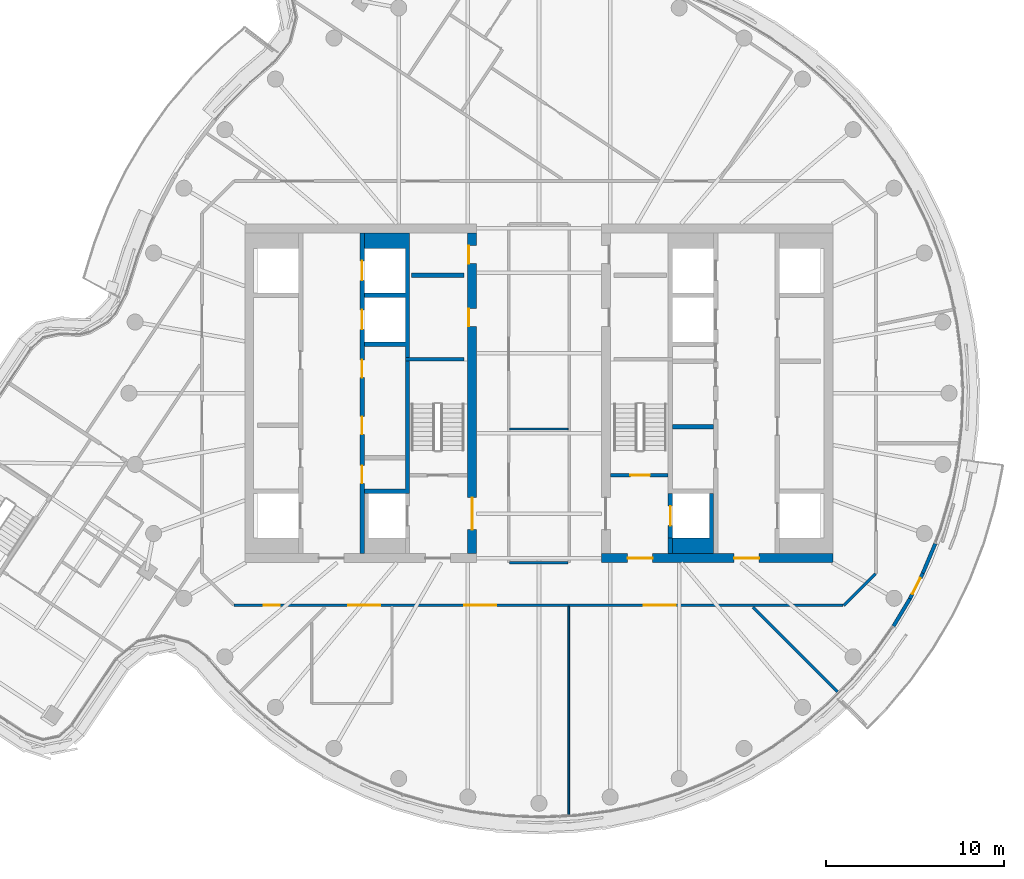
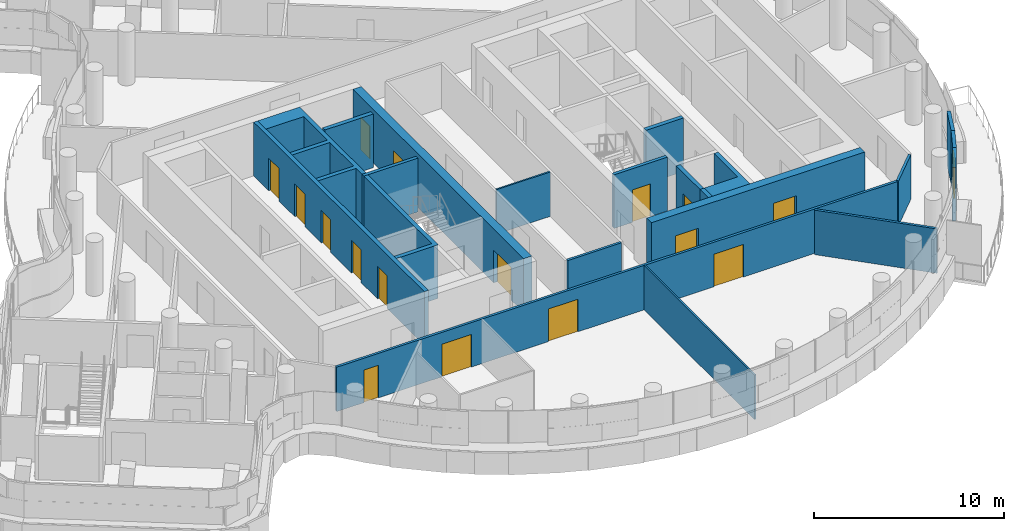
# One storey, part 18 of 27: 20 walls, 17 doors, 17 openings.
"""IFC4 building model written with IfcOpenShell, lengths in metres."""

from ifc_helpers import new_model, si_unit, direction, frame, frame_2d, origin, place, context, subcontext, project, spatial, polyline, rectangle, outline, extrude, material, layer, layer_set, type_object, element, fill, save


model = new_model("IFC4")

# Units and contexts
model_context = context("Model", 3, precision=1e-05, world=origin(), true_north=direction((0.0, 1.0)))
body_context = subcontext(model_context, "Body", "Model", "MODEL_VIEW")
ifc_project = project(units=[si_unit("LENGTHUNIT", "METRE"), si_unit("AREAUNIT", "SQUARE_METRE"), si_unit("VOLUMEUNIT", "CUBIC_METRE"), si_unit("PLANEANGLEUNIT", "RADIAN"), si_unit("MASSUNIT", "GRAM", prefix="KILO")], contexts=[model_context])

# Site, building, storey
site_placement = place(None, origin())
site = spatial("IfcSite", under=ifc_project, at=site_placement, CompositionType="ELEMENT")
building_placement = place(site_placement, origin())
building = spatial("IfcBuilding", under=site, at=building_placement, Name="Tamarind Cross Interchange Tower", CompositionType="ELEMENT")
storey_placement = place(building_placement, frame((0.0, 0.0, 237.89990234375)))
storey = spatial("IfcBuildingStorey", under=building, at=storey_placement, Name="L60", CompositionType="ELEMENT", Elevation=237.89990234375)

# Walls
ifc_material_1 = material(Name="Concrete C40", Category="concrete")
ifc_layer_1 = layer(ifc_material_1, 0.199951171875)
ifc_layer_set_1 = layer_set([ifc_layer_1], Name="Concrete C40")
wall_type_1 = type_object("IfcWallType", Name="Balcony and garden door wall", PredefinedType="SOLIDWALL", material=ifc_layer_set_1)
wall_1_placement = place(storey_placement, frame((19.877197265625, -13.070068359375, 0.0), z_axis=(0.0, 0.0, 1.0), x_axis=(0.515012774923, 0.85718250196, 0.0)))
element("IfcWall", 1, at=wall_1_placement, inside=storey, type_object=wall_type_1, Name="EXW-L60-02-D11L", PredefinedType="SOLIDWALL", context=body_context, shape_type="SweptSolid", body=[
    extrude(rectangle(XDim=1.80517578125, YDim=0.199951171875, at=frame_2d((0.902587890625, 0.0))), origin(), (0.0, 0.0, 1.0), 3.460205078125),
])
wall_2_placement = place(storey_placement, frame((21.527587890625, -10.09521484375, 0.0), z_axis=(0.0, 0.0, 1.0), x_axis=(0.389260368578, 0.921127768257, 0.0)))
element("IfcWall", 2, at=wall_2_placement, inside=storey, type_object=wall_type_1, Name="EXW-L60-02-D11R", PredefinedType="SOLIDWALL", context=body_context, shape_type="SweptSolid", body=[
    extrude(rectangle(XDim=1.804443359375, YDim=0.199951171875, at=frame_2d((0.90234375, 0.0))), origin(), (0.0, 0.0, 1.0), 3.460205078125),
])

# Wall, opening, door
wall_3_placement = place(storey_placement, frame((20.806884765625, -11.522705078125, 0.0), z_axis=(0.0, 0.0, 1.0), x_axis=(0.450691156641, 0.892679943387, 0.0)))
wall_3 = element("IfcWall", 3, at=wall_3_placement, inside=storey, type_object=wall_type_1, Name="EXW-L60-02-D11", PredefinedType="SOLIDWALL", context=body_context, shape_type="SweptSolid", body=[
    extrude(rectangle(XDim=1.59912109375, YDim=0.199951171875, at=frame_2d((0.799560546875, 0.0))), origin(), (0.0, 0.0, 1.0), 3.460205078125),
])
opening_1_placement = place(wall_3_placement, frame((0.299560546875, 0.0, 0.0)))
opening_1 = element("IfcOpeningElement", 4, at=opening_1_placement, cuts=wall_3, Name="Opening D2", PredefinedType="OPENING", context=body_context, shape_type="SweptSolid", body=[
    extrude(rectangle(XDim=1.0, YDim=2.39990234375, at=frame_2d((0.5, 1.199951171875))), frame((0.0, 0.10986328125, 0.0), z_axis=(0.0, -1.0, 0.0), x_axis=(1.0, 0.0, 0.0)), (0.0, 0.0, 1.0), 0.219970703125),
])
ifc_material_2 = material(Name="Aluminium and toughened glass", Category="aluminium")
door_type_1 = type_object("IfcDoorType", Name="Balcony and garden door", OperationType="SINGLE_SWING_LEFT", PredefinedType="DOOR", material=ifc_material_2)
door_1_placement = place(opening_1_placement, origin())
door_1 = element("IfcDoor", 5, at=door_1_placement, inside=storey, type_object=door_type_1, Name="DOR-L60-02-11", OperationType="SINGLE_SWING_LEFT", OverallHeight=2.39990234375, OverallWidth=1.0, PredefinedType="DOOR", context=body_context, shape_type="SweptSolid", body=[
    extrude(rectangle(XDim=1.0, YDim=2.39990234375, at=frame_2d((0.5, 1.199951171875))), frame((0.0, 0.02490234375, 0.0), z_axis=(0.0, -1.0, 0.0), x_axis=(1.0, 0.0, 0.0)), (0.0, 0.0, 1.0), 0.050048828125),
])
fill(opening_1, door_1)

# Wall, openings, doors
ifc_material_3 = material(Name="Concrete C50", Category="concrete")
ifc_layer_2 = layer(ifc_material_3, 0.5)
ifc_layer_set_2 = layer_set([ifc_layer_2], Name="Concrete C50")
wall_type_2 = type_object("IfcWallType", Name="Core wall 500 mm Concrete C50", PredefinedType="SHEAR", material=ifc_layer_set_2)
wall_4_placement = place(storey_placement, frame((-3.75, -9.0, 0.0), z_axis=(0.0, 0.0, 1.0), x_axis=(0.0, 1.0, 0.0)))
wall_4 = element("IfcWall", 6, at=wall_4_placement, inside=storey, type_object=wall_type_2, Name="Core wall CWL-L60-W-IN", PredefinedType="SHEAR", context=body_context, shape_type="SweptSolid", body=[
    extrude(rectangle(XDim=18.0, YDim=0.5, at=frame_2d((9.0, 0.0))), origin(), (0.0, 0.0, 1.0), 3.460205078125),
])
opening_2_placement = place(wall_4_placement, frame((1.35009765625, 0.0, 0.0)))
opening_2 = element("IfcOpeningElement", 7, at=opening_2_placement, cuts=wall_4, Name="Opening DCW4", PredefinedType="OPENING", context=body_context, shape_type="SweptSolid", body=[
    extrude(rectangle(XDim=1.800048828125, YDim=2.10009765625, at=frame_2d((0.89990234375, 1.050048828125))), frame((0.0, 0.260009765625, 0.0), z_axis=(0.0, -1.0, 0.0), x_axis=(1.0, 0.0, 0.0)), (0.0, 0.0, 1.0), 0.52001953125),
])
opening_3_placement = place(wall_4_placement, frame((12.74951171875, 0.0, 0.0)))
opening_3 = element("IfcOpeningElement", 8, at=opening_3_placement, cuts=wall_4, Name="Opening DCW5", PredefinedType="OPENING", context=body_context, shape_type="SweptSolid", body=[
    extrude(rectangle(XDim=1.0, YDim=2.10009765625, at=frame_2d((0.5, 1.050048828125))), frame((0.0, 0.260009765625, 0.0), z_axis=(0.0, -1.0, 0.0), x_axis=(1.0, 0.0, 0.0)), (0.0, 0.0, 1.0), 0.52001953125),
])
opening_4_placement = place(wall_4_placement, frame((16.2744140625, 0.0, 0.0)))
opening_4 = element("IfcOpeningElement", 9, at=opening_4_placement, cuts=wall_4, Name="Opening DCW5", PredefinedType="OPENING", context=body_context, shape_type="SweptSolid", body=[
    extrude(rectangle(XDim=1.0, YDim=2.10009765625, at=frame_2d((0.5, 1.050048828125))), frame((0.0, 0.260009765625, 0.0), z_axis=(0.0, -1.0, 0.0), x_axis=(1.0, 0.0, 0.0)), (0.0, 0.0, 1.0), 0.52001953125),
])
ifc_material_4 = material(Name="Steel, fire-resisting", Category="steel")
door_type_2 = type_object("IfcDoorType", Name="Core fire door 1000 x 2100 FD90", OperationType="SINGLE_SWING_LEFT", PredefinedType="DOOR", material=ifc_material_4)
door_2_placement = place(opening_3_placement, origin())
door_2 = element("IfcDoor", 10, at=door_2_placement, inside=storey, type_object=door_type_2, Name="L60 riser room door", OperationType="SINGLE_SWING_LEFT", OverallHeight=2.10009765625, OverallWidth=1.0, PredefinedType="DOOR", context=body_context, shape_type="SweptSolid", body=[
    extrude(rectangle(XDim=1.0, YDim=2.10009765625, at=frame_2d((0.5, 1.050048828125))), frame((0.0, 0.22509765625, 0.0), z_axis=(0.0, -1.0, 0.0), x_axis=(1.0, 0.0, 0.0)), (0.0, 0.0, 1.0), 0.050048828125),
])
fill(opening_3, door_2)
door_3_placement = place(opening_4_placement, origin())
door_3 = element("IfcDoor", 11, at=door_3_placement, inside=storey, type_object=door_type_2, Name="L60 linen press door", OperationType="SINGLE_SWING_LEFT", OverallHeight=2.10009765625, OverallWidth=1.0, PredefinedType="DOOR", context=body_context, shape_type="SweptSolid", body=[
    extrude(rectangle(XDim=1.0, YDim=2.10009765625, at=frame_2d((0.5, 1.050048828125))), frame((0.0, 0.22509765625, 0.0), z_axis=(0.0, -1.0, 0.0), x_axis=(1.0, 0.0, 0.0)), (0.0, 0.0, 1.0), 0.050048828125),
])
fill(opening_4, door_3)
door_type_3 = type_object("IfcDoorType", Name="Core fire door 1800 x 2100 FD90", OperationType="SINGLE_SWING_LEFT", PredefinedType="DOOR", material=ifc_material_4)
door_4_placement = place(opening_2_placement, origin())
door_4 = element("IfcDoor", 12, at=door_4_placement, inside=storey, type_object=door_type_3, Name="L60 firefighting lobby door", OperationType="SINGLE_SWING_LEFT", OverallHeight=2.10009765625, OverallWidth=1.800048828125, PredefinedType="DOOR", context=body_context, shape_type="SweptSolid", body=[
    extrude(rectangle(XDim=1.800048828125, YDim=2.10009765625, at=frame_2d((0.89990234375, 1.050048828125))), frame((0.0, 0.02490234375, 0.0), z_axis=(0.0, -1.0, 0.0), x_axis=(1.0, 0.0, 0.0)), (0.0, 0.0, 1.0), 0.050048828125),
])
fill(opening_2, door_4)

wall_5_placement = place(storey_placement, frame((16.5, -9.25, 0.0), z_axis=(0.0, 0.0, 1.0), x_axis=(-1.0, 0.0, 0.0)))
wall_5 = element("IfcWall", 13, at=wall_5_placement, inside=storey, type_object=wall_type_2, Name="Core wall CWL-L60-E-S", PredefinedType="SHEAR", context=body_context, shape_type="SweptSolid", body=[
    extrude(rectangle(XDim=13.0, YDim=0.5, at=frame_2d((6.5, 0.0))), origin(), (0.0, 0.0, 1.0), 3.460205078125),
])
opening_5_placement = place(wall_5_placement, frame((4.14990234375, 0.0, 0.0)))
opening_5 = element("IfcOpeningElement", 14, at=opening_5_placement, cuts=wall_5, Name="Opening DCE1", PredefinedType="OPENING", context=body_context, shape_type="SweptSolid", body=[
    extrude(rectangle(XDim=1.39990234375, YDim=2.10009765625, at=frame_2d((0.699951171875, 1.050048828125))), frame((0.0, 0.260009765625, 0.0), z_axis=(0.0, -1.0, 0.0), x_axis=(1.0, 0.0, 0.0)), (0.0, 0.0, 1.0), 0.52001953125),
])
opening_6_placement = place(wall_5_placement, frame((10.125, 0.0, 0.0)))
opening_6 = element("IfcOpeningElement", 15, at=opening_6_placement, cuts=wall_5, Name="Opening DCEF", PredefinedType="OPENING", context=body_context, shape_type="SweptSolid", body=[
    extrude(rectangle(XDim=1.39990234375, YDim=2.10009765625, at=frame_2d((0.699951171875, 1.050048828125))), frame((0.0, 0.260009765625, 0.0), z_axis=(0.0, -1.0, 0.0), x_axis=(1.0, 0.0, 0.0)), (0.0, 0.0, 1.0), 0.52001953125),
])
door_type_4 = type_object("IfcDoorType", Name="Core fire door 1400 x 2100 FD90", OperationType="SINGLE_SWING_LEFT", PredefinedType="DOOR", material=ifc_material_4)
door_5_placement = place(opening_5_placement, origin())
door_5 = element("IfcDoor", 16, at=door_5_placement, inside=storey, type_object=door_type_4, Name="L60 lift lobby door", OperationType="SINGLE_SWING_LEFT", OverallHeight=2.10009765625, OverallWidth=1.39990234375, PredefinedType="DOOR", context=body_context, shape_type="SweptSolid", body=[
    extrude(rectangle(XDim=1.39990234375, YDim=2.10009765625, at=frame_2d((0.699951171875, 1.050048828125))), frame((0.0, 0.02490234375, 0.0), z_axis=(0.0, -1.0, 0.0), x_axis=(1.0, 0.0, 0.0)), (0.0, 0.0, 1.0), 0.050048828125),
])
fill(opening_5, door_5)
door_6_placement = place(opening_6_placement, origin())
door_6 = element("IfcDoor", 17, at=door_6_placement, inside=storey, type_object=door_type_4, Name="L60 firefighting lobby end door", OperationType="SINGLE_SWING_LEFT", OverallHeight=2.10009765625, OverallWidth=1.39990234375, PredefinedType="DOOR", context=body_context, shape_type="SweptSolid", body=[
    extrude(rectangle(XDim=1.39990234375, YDim=2.10009765625, at=frame_2d((0.699951171875, 1.050048828125))), frame((0.0, 0.02490234375, 0.0), z_axis=(0.0, -1.0, 0.0), x_axis=(1.0, 0.0, 0.0)), (0.0, 0.0, 1.0), 0.050048828125),
])
fill(opening_6, door_6)

# Walls
ifc_layer_3 = layer(ifc_material_3, 0.199951171875)
ifc_layer_set_3 = layer_set([ifc_layer_3], Name="Concrete C50")
wall_type_3 = type_object("IfcWallType", Name="Core web wall 200 mm Concrete C50", PredefinedType="SHEAR", material=ifc_layer_set_3)
wall_6_placement = place(storey_placement, frame((-7.5, 1.89990234375, 0.0), z_axis=(0.0, 0.0, 1.0), x_axis=(1.0, 0.0, 0.0)))
element("IfcWall", 18, at=wall_6_placement, inside=storey, type_object=wall_type_3, Name="Core wall CWL-L60-W-BD", PredefinedType="SHEAR", context=body_context, shape_type="SweptSolid", body=[
    extrude(rectangle(XDim=3.300048828125, YDim=0.199951171875, at=frame_2d((1.64990234375, 0.0))), origin(), (0.0, 0.0, 1.0), 3.460205078125),
])
ifc_layer_4 = layer(ifc_material_3, 0.25)
ifc_layer_set_4 = layer_set([ifc_layer_4], Name="Concrete C50")
wall_type_4 = type_object("IfcWallType", Name="Core web wall 250 mm Concrete C50", PredefinedType="SHEAR", material=ifc_layer_set_4)
wall_7_placement = place(storey_placement, origin())
element("IfcWall", 19, at=wall_7_placement, inside=storey, type_object=wall_type_4, Name="Core wall CWL-L60-W-BN", PredefinedType="SHEAR", context=body_context, shape_type="SweptSolid", body=[
    extrude(outline(polyline([(-9.800048828125, -5.375), (-9.800048828125, -5.625), (-7.5, -5.625), (-7.25, -5.625), (-7.25, 9.0), (-7.5, 9.0), (-9.800048828125, 9.0), (-9.800048828125, 8.125), (-7.5, 8.125), (-7.5, 5.625), (-9.800048828125, 5.625), (-9.800048828125, 5.375), (-7.5, 5.375), (-7.5, 2.875), (-9.800048828125, 2.875), (-9.800048828125, 2.625), (-7.5, 2.625), (-7.5, -5.375), (-9.800048828125, -5.375)])), origin(), (0.0, 0.0, 1.0), 3.460205078125),
])

# Wall, openings, doors
wall_8_placement = place(storey_placement, frame((-9.925048828125, -9.0, 0.0), z_axis=(0.0, 0.0, 1.0), x_axis=(0.0, 1.0, 0.0)))
wall_8 = element("IfcWall", 20, at=wall_8_placement, inside=storey, type_object=wall_type_4, Name="Core wall CWL-L60-W-LB", PredefinedType="SHEAR", context=body_context, shape_type="SweptSolid", body=[
    extrude(rectangle(XDim=18.0, YDim=0.25, at=frame_2d((9.0, 0.0))), origin(), (0.0, 0.0, 1.0), 3.460205078125),
])
opening_7_placement = place(wall_8_placement, frame((12.574951171875, 0.0, 0.0)))
opening_7 = element("IfcOpeningElement", 21, at=opening_7_placement, cuts=wall_8, Name="Opening LD11L60", PredefinedType="OPENING", context=body_context, shape_type="SweptSolid", body=[
    extrude(rectangle(XDim=1.10009765625, YDim=2.10009765625, at=frame_2d((0.550048828125, 1.050048828125))), frame((0.0, 0.135009765625, 0.0), z_axis=(0.0, -1.0, 0.0), x_axis=(1.0, 0.0, 0.0)), (0.0, 0.0, 1.0), 0.27001953125),
])
opening_8_placement = place(wall_8_placement, frame((15.324951171875, 0.0, 0.0)))
opening_8 = element("IfcOpeningElement", 22, at=opening_8_placement, cuts=wall_8, Name="Opening LD12L60", PredefinedType="OPENING", context=body_context, shape_type="SweptSolid", body=[
    extrude(rectangle(XDim=1.10009765625, YDim=2.10009765625, at=frame_2d((0.550048828125, 1.050048828125))), frame((0.0, 0.135009765625, 0.0), z_axis=(0.0, -1.0, 0.0), x_axis=(1.0, 0.0, 0.0)), (0.0, 0.0, 1.0), 0.27001953125),
])
opening_9_placement = place(wall_8_placement, frame((3.9375, 0.0, 0.0)))
opening_9 = element("IfcOpeningElement", 23, at=opening_9_placement, cuts=wall_8, Name="Opening DCW21", PredefinedType="OPENING", context=body_context, shape_type="SweptSolid", body=[
    extrude(rectangle(XDim=1.0, YDim=2.10009765625, at=frame_2d((0.5, 1.050048828125))), frame((0.0, 0.135009765625, 0.0), z_axis=(0.0, -1.0, 0.0), x_axis=(1.0, 0.0, 0.0)), (0.0, 0.0, 1.0), 0.27001953125),
])
opening_10_placement = place(wall_8_placement, frame((6.6875, 0.0, 0.0)))
opening_10 = element("IfcOpeningElement", 24, at=opening_10_placement, cuts=wall_8, Name="Opening DCW22", PredefinedType="OPENING", context=body_context, shape_type="SweptSolid", body=[
    extrude(rectangle(XDim=1.0, YDim=2.10009765625, at=frame_2d((0.5, 1.050048828125))), frame((0.0, 0.135009765625, 0.0), z_axis=(0.0, -1.0, 0.0), x_axis=(1.0, 0.0, 0.0)), (0.0, 0.0, 1.0), 0.27001953125),
])
opening_11_placement = place(wall_8_placement, frame((9.875, 0.0, 0.0)))
opening_11 = element("IfcOpeningElement", 25, at=opening_11_placement, cuts=wall_8, Name="Opening DCW21", PredefinedType="OPENING", context=body_context, shape_type="SweptSolid", body=[
    extrude(rectangle(XDim=1.0, YDim=2.10009765625, at=frame_2d((0.5, 1.050048828125))), frame((0.0, 0.135009765625, 0.0), z_axis=(0.0, -1.0, 0.0), x_axis=(1.0, 0.0, 0.0)), (0.0, 0.0, 1.0), 0.27001953125),
])
door_7_placement = place(opening_9_placement, origin())
door_7 = element("IfcDoor", 26, at=door_7_placement, inside=storey, type_object=door_type_2, Name="L60 Hotel pantry door", OperationType="SINGLE_SWING_LEFT", OverallHeight=2.10009765625, OverallWidth=1.0, PredefinedType="DOOR", context=body_context, shape_type="SweptSolid", body=[
    extrude(rectangle(XDim=1.0, YDim=2.10009765625, at=frame_2d((0.5, 1.050048828125))), frame((0.0, 0.02490234375, 0.0), z_axis=(0.0, -1.0, 0.0), x_axis=(1.0, 0.0, 0.0)), (0.0, 0.0, 1.0), 0.050048828125),
])
fill(opening_9, door_7)
door_8_placement = place(opening_10_placement, origin())
door_8 = element("IfcDoor", 27, at=door_8_placement, inside=storey, type_object=door_type_2, Name="L60 Staff changing room door", OperationType="SINGLE_SWING_LEFT", OverallHeight=2.10009765625, OverallWidth=1.0, PredefinedType="DOOR", context=body_context, shape_type="SweptSolid", body=[
    extrude(rectangle(XDim=1.0, YDim=2.10009765625, at=frame_2d((0.5, 1.050048828125))), frame((0.0, 0.02490234375, 0.0), z_axis=(0.0, -1.0, 0.0), x_axis=(1.0, 0.0, 0.0)), (0.0, 0.0, 1.0), 0.050048828125),
])
fill(opening_10, door_8)
door_9_placement = place(opening_11_placement, origin())
door_9 = element("IfcDoor", 28, at=door_9_placement, inside=storey, type_object=door_type_2, Name="L60 Hotel pantry door", OperationType="SINGLE_SWING_LEFT", OverallHeight=2.10009765625, OverallWidth=1.0, PredefinedType="DOOR", context=body_context, shape_type="SweptSolid", body=[
    extrude(rectangle(XDim=1.0, YDim=2.10009765625, at=frame_2d((0.5, 1.050048828125))), frame((0.0, 0.02490234375, 0.0), z_axis=(0.0, -1.0, 0.0), x_axis=(1.0, 0.0, 0.0)), (0.0, 0.0, 1.0), 0.050048828125),
])
fill(opening_11, door_9)
ifc_material_5 = material(Name="Stainless steel panel", Category="steel")
door_type_5 = type_object("IfcDoorType", Name="Lift landing door 1100 x 2100 E 120", OperationType="SLIDING_TO_LEFT", PredefinedType="DOOR", material=ifc_material_5)
door_10_placement = place(opening_7_placement, origin())
door_10 = element("IfcDoor", 29, at=door_10_placement, inside=storey, type_object=door_type_5, Name="L60 landing door LF11", OperationType="SLIDING_TO_LEFT", OverallHeight=2.10009765625, OverallWidth=1.10009765625, PredefinedType="DOOR", context=body_context, shape_type="SweptSolid", body=[
    extrude(rectangle(XDim=1.10009765625, YDim=2.10009765625, at=frame_2d((0.550048828125, 1.050048828125))), frame((0.0, 0.02490234375, 0.0), z_axis=(0.0, -1.0, 0.0), x_axis=(1.0, 0.0, 0.0)), (0.0, 0.0, 1.0), 0.050048828125),
])
fill(opening_7, door_10)
door_11_placement = place(opening_8_placement, origin())
door_11 = element("IfcDoor", 30, at=door_11_placement, inside=storey, type_object=door_type_5, Name="L60 landing door LF12", OperationType="SLIDING_TO_LEFT", OverallHeight=2.10009765625, OverallWidth=1.10009765625, PredefinedType="DOOR", context=body_context, shape_type="SweptSolid", body=[
    extrude(rectangle(XDim=1.10009765625, YDim=2.10009765625, at=frame_2d((0.550048828125, 1.050048828125))), frame((0.0, 0.02490234375, 0.0), z_axis=(0.0, -1.0, 0.0), x_axis=(1.0, 0.0, 0.0)), (0.0, 0.0, 1.0), 0.050048828125),
])
fill(opening_8, door_11)

# Walls
wall_9_placement = place(storey_placement, origin())
element("IfcWall", 31, at=wall_9_placement, inside=storey, type_object=wall_type_4, Name="Core wall CWL-L60-E-BS", PredefinedType="SHEAR", context=body_context, shape_type="SweptSolid", body=[
    extrude(outline(polyline([(7.5, -8.125), (7.5, -9.0), (9.800048828125, -9.0), (9.800048828125, -8.125), (9.800048828125, -5.625), (9.550048828125, -5.625), (9.550048828125, -8.125), (7.5, -8.125)])), origin(), (0.0, 0.0, 1.0), 3.460205078125),
])
wall_10_placement = place(storey_placement, frame((7.375, -9.0, 0.0), z_axis=(0.0, 0.0, 1.0), x_axis=(0.0, 1.0, 0.0)))
element("IfcWall", 32, at=wall_10_placement, inside=storey, type_object=wall_type_4, Name="Core wall CWL-L60-E-BW", PredefinedType="SHEAR", context=body_context, shape_type="SweptSolid", body=[
    extrude(rectangle(XDim=0.875, YDim=0.25, at=frame_2d((0.4375, 0.0))), origin(), (0.0, 0.0, 1.0), 3.460205078125),
])

# Wall, opening, door
wall_11_placement = place(storey_placement, frame((7.375, -8.125, 0.0), z_axis=(0.0, 0.0, 1.0), x_axis=(0.0, 1.0, 0.0)))
wall_11 = element("IfcWall", 33, at=wall_11_placement, inside=storey, type_object=wall_type_4, Name="Core wall CWL-L60-E-FF", PredefinedType="SHEAR", context=body_context, shape_type="SweptSolid", body=[
    extrude(rectangle(XDim=2.5, YDim=0.25, at=frame_2d((1.25, 0.0))), origin(), (0.0, 0.0, 1.0), 3.460205078125),
])
opening_12_placement = place(wall_11_placement, frame((0.699951171875, 0.0, 0.0)))
opening_12 = element("IfcOpeningElement", 34, at=opening_12_placement, cuts=wall_11, Name="Opening LD19L60", PredefinedType="OPENING", context=body_context, shape_type="SweptSolid", body=[
    extrude(rectangle(XDim=1.10009765625, YDim=2.10009765625, at=frame_2d((0.550048828125, 1.050048828125))), frame((0.0, 0.135009765625, 0.0), z_axis=(0.0, -1.0, 0.0), x_axis=(1.0, 0.0, 0.0)), (0.0, 0.0, 1.0), 0.27001953125),
])
door_12_placement = place(opening_12_placement, origin())
door_12 = element("IfcDoor", 35, at=door_12_placement, inside=storey, type_object=door_type_5, Name="L60 landing door LF19", OperationType="SLIDING_TO_LEFT", OverallHeight=2.10009765625, OverallWidth=1.10009765625, PredefinedType="DOOR", context=body_context, shape_type="SweptSolid", body=[
    extrude(rectangle(XDim=1.10009765625, YDim=2.10009765625, at=frame_2d((0.550048828125, 1.050048828125))), frame((0.0, 0.02490234375, 0.0), z_axis=(0.0, -1.0, 0.0), x_axis=(1.0, 0.0, 0.0)), (0.0, 0.0, 1.0), 0.050048828125),
])
fill(opening_12, door_12)

# Walls
ifc_material_6 = material(Name="Gypsum board partition on steel studs", Category="steel")
ifc_layer_5 = layer(ifc_material_6, 0.10009765625)
ifc_layer_set_5 = layer_set([ifc_layer_5], Name="Gypsum board partition on steel studs")
wall_type_5 = type_object("IfcWallType", Name="Partition 100 mm EI 120", PredefinedType="PARTITIONING", material=ifc_layer_set_5)
wall_12_placement = place(storey_placement, frame((-1.639892578125, -2.0, 0.0), z_axis=(0.0, 0.0, 1.0), x_axis=(1.0, 0.0, 0.0)))
element("IfcWall", 36, at=wall_12_placement, inside=storey, type_object=wall_type_5, Name="Partition L60-031", PredefinedType="PARTITIONING", context=body_context, shape_type="SweptSolid", body=[
    extrude(rectangle(XDim=3.27978515625, YDim=0.10009765625, at=frame_2d((1.639892578125, 0.0))), origin(), (0.0, 0.0, 1.0), 2.864013671875),
])
ifc_layer_6 = layer(ifc_material_6, 0.10009765625)
ifc_layer_set_6 = layer_set([ifc_layer_6], Name="Gypsum board partition on steel studs")
wall_type_6 = type_object("IfcWallType", Name="Partition 100 mm EI 90", PredefinedType="PARTITIONING", material=ifc_layer_set_6)
wall_13_placement = place(storey_placement, frame((1.674072265625, -23.622802734375, 0.0), z_axis=(0.0, 0.0, 1.0), x_axis=(0.0, 1.0, 0.0)))
element("IfcWall", 37, at=wall_13_placement, inside=storey, type_object=wall_type_6, Name="Partition L60-062", PredefinedType="PARTITIONING", context=body_context, shape_type="SweptSolid", body=[
    extrude(rectangle(XDim=11.667724609375, YDim=0.10009765625, at=frame_2d((5.833984375, 0.0))), origin(), (0.0, 0.0, 1.0), 2.864013671875),
])
ifc_layer_7 = layer(ifc_material_6, 0.14990234375)
ifc_layer_set_7 = layer_set([ifc_layer_7], Name="Gypsum board partition on steel studs")
wall_type_7 = type_object("IfcWallType", Name="Partition 150 mm EI 120", PredefinedType="PARTITIONING", material=ifc_layer_set_7)
wall_14_placement = place(storey_placement, frame((12.009521484375, -12.009521484375, 0.0), z_axis=(0.0, 0.0, 1.0), x_axis=(0.707106781187, -0.707106781187, 0.0)))
element("IfcWall", 38, at=wall_14_placement, inside=storey, type_object=wall_type_7, Name="Partition L60-002", PredefinedType="PARTITIONING", context=body_context, shape_type="SweptSolid", body=[
    extrude(rectangle(XDim=6.690673828125, YDim=0.14990234375, at=frame_2d((3.34521484375, 0.0))), origin(), (0.0, 0.0, 1.0), 2.864013671875),
])

# Wall, openings, doors
wall_15_placement = place(storey_placement, frame((-17.10009765625, -11.89990234375, 0.0), z_axis=(0.0, 0.0, 1.0), x_axis=(1.0, 0.0, 0.0)))
wall_15 = element("IfcWall", 39, at=wall_15_placement, inside=storey, type_object=wall_type_7, Name="Partition L60-027", PredefinedType="PARTITIONING", context=body_context, shape_type="SweptSolid", body=[
    extrude(rectangle(XDim=34.1650390625, YDim=0.14990234375, at=frame_2d((17.08251953125, 0.0))), origin(), (0.0, 0.0, 1.0), 2.864013671875),
])
opening_13_placement = place(wall_15_placement, frame((6.39990234375, 0.0, 0.0)))
opening_13 = element("IfcOpeningElement", 40, at=opening_13_placement, cuts=wall_15, Name="Opening D12", PredefinedType="OPENING", context=body_context, shape_type="SweptSolid", body=[
    extrude(rectangle(XDim=1.800048828125, YDim=2.10009765625, at=frame_2d((0.89990234375, 1.050048828125))), frame((0.0, 0.0849609375, 0.0), z_axis=(0.0, -1.0, 0.0), x_axis=(1.0, 0.0, 0.0)), (0.0, 0.0, 1.0), 0.169921875),
])
opening_14_placement = place(wall_15_placement, frame((12.908935546875, 0.0, 0.0)))
opening_14 = element("IfcOpeningElement", 41, at=opening_14_placement, cuts=wall_15, Name="Opening D13", PredefinedType="OPENING", context=body_context, shape_type="SweptSolid", body=[
    extrude(rectangle(XDim=1.800048828125, YDim=2.10009765625, at=frame_2d((0.89990234375, 1.050048828125))), frame((0.0, 0.0849609375, 0.0), z_axis=(0.0, -1.0, 0.0), x_axis=(1.0, 0.0, 0.0)), (0.0, 0.0, 1.0), 0.169921875),
])
opening_15_placement = place(wall_15_placement, frame((22.97412109375, 0.0, 0.0)))
opening_15 = element("IfcOpeningElement", 42, at=opening_15_placement, cuts=wall_15, Name="Opening D14", PredefinedType="OPENING", context=body_context, shape_type="SweptSolid", body=[
    extrude(rectangle(XDim=1.800048828125, YDim=2.10009765625, at=frame_2d((0.89990234375, 1.050048828125))), frame((0.0, 0.0849609375, 0.0), z_axis=(0.0, -1.0, 0.0), x_axis=(1.0, 0.0, 0.0)), (0.0, 0.0, 1.0), 0.169921875),
])
opening_16_placement = place(wall_15_placement, frame((1.64990234375, 0.0, 0.0)))
opening_16 = element("IfcOpeningElement", 43, at=opening_16_placement, cuts=wall_15, Name="Opening D15", PredefinedType="OPENING", context=body_context, shape_type="SweptSolid", body=[
    extrude(rectangle(XDim=0.89990234375, YDim=2.10009765625, at=frame_2d((0.449951171875, 1.050048828125))), frame((0.0, 0.0849609375, 0.0), z_axis=(0.0, -1.0, 0.0), x_axis=(1.0, 0.0, 0.0)), (0.0, 0.0, 1.0), 0.169921875),
])
ifc_material_7 = material(Name="Fire-resisting door set")
door_type_6 = type_object("IfcDoorType", Name="Interior door 1800 x 2100 FD60S", OperationType="DOUBLE_DOOR_SINGLE_SWING", PredefinedType="DOOR", material=ifc_material_7)
door_13_placement = place(opening_13_placement, frame((1.800048828125, 0.0, 0.0), z_axis=(0.0, 0.0, 1.0), x_axis=(-1.0, 0.0, 0.0)))
door_13 = element("IfcDoor", 44, at=door_13_placement, inside=storey, type_object=door_type_6, Name="Door D12", OperationType="DOUBLE_DOOR_SINGLE_SWING", OverallHeight=2.10009765625, OverallWidth=1.800048828125, PredefinedType="DOOR", context=body_context, shape_type="SweptSolid", body=[
    extrude(rectangle(XDim=1.800048828125, YDim=2.10009765625, at=frame_2d((0.89990234375, 1.050048828125))), frame((0.0, 0.02490234375, 0.0), z_axis=(0.0, -1.0, 0.0), x_axis=(1.0, 0.0, 0.0)), (0.0, 0.0, 1.0), 0.050048828125),
])
fill(opening_13, door_13)
door_14_placement = place(opening_14_placement, frame((1.800048828125, 0.0, 0.0), z_axis=(0.0, 0.0, 1.0), x_axis=(-1.0, 0.0, 0.0)))
door_14 = element("IfcDoor", 45, at=door_14_placement, inside=storey, type_object=door_type_6, Name="Door D13", OperationType="DOUBLE_DOOR_SINGLE_SWING", OverallHeight=2.10009765625, OverallWidth=1.800048828125, PredefinedType="DOOR", context=body_context, shape_type="SweptSolid", body=[
    extrude(rectangle(XDim=1.800048828125, YDim=2.10009765625, at=frame_2d((0.89990234375, 1.050048828125))), frame((0.0, 0.02490234375, 0.0), z_axis=(0.0, -1.0, 0.0), x_axis=(1.0, 0.0, 0.0)), (0.0, 0.0, 1.0), 0.050048828125),
])
fill(opening_14, door_14)
door_15_placement = place(opening_15_placement, frame((1.800048828125, 0.0, 0.0), z_axis=(0.0, 0.0, 1.0), x_axis=(-1.0, 0.0, 0.0)))
door_15 = element("IfcDoor", 46, at=door_15_placement, inside=storey, type_object=door_type_6, Name="Door D14", OperationType="DOUBLE_DOOR_SINGLE_SWING", OverallHeight=2.10009765625, OverallWidth=1.800048828125, PredefinedType="DOOR", context=body_context, shape_type="SweptSolid", body=[
    extrude(rectangle(XDim=1.800048828125, YDim=2.10009765625, at=frame_2d((0.89990234375, 1.050048828125))), frame((0.0, 0.02490234375, 0.0), z_axis=(0.0, -1.0, 0.0), x_axis=(1.0, 0.0, 0.0)), (0.0, 0.0, 1.0), 0.050048828125),
])
fill(opening_15, door_15)
door_type_7 = type_object("IfcDoorType", Name="Interior door 900 x 2100 FD60S", OperationType="SINGLE_SWING_LEFT", PredefinedType="DOOR", material=ifc_material_7)
door_16_placement = place(opening_16_placement, frame((0.89990234375, 0.0, 0.0), z_axis=(0.0, 0.0, 1.0), x_axis=(-1.0, 0.0, 0.0)))
door_16 = element("IfcDoor", 47, at=door_16_placement, inside=storey, type_object=door_type_7, Name="Door D15", OperationType="SINGLE_SWING_LEFT", OverallHeight=2.10009765625, OverallWidth=0.89990234375, PredefinedType="DOOR", context=body_context, shape_type="SweptSolid", body=[
    extrude(rectangle(XDim=0.89990234375, YDim=2.10009765625, at=frame_2d((0.449951171875, 1.050048828125))), frame((0.0, 0.02490234375, 0.0), z_axis=(0.0, -1.0, 0.0), x_axis=(1.0, 0.0, 0.0)), (0.0, 0.0, 1.0), 0.050048828125),
])
fill(opening_16, door_16)

# Walls
wall_16_placement = place(storey_placement, frame((-1.639892578125, -9.5, 0.0), z_axis=(0.0, 0.0, 1.0), x_axis=(1.0, 0.0, 0.0)))
element("IfcWall", 48, at=wall_16_placement, inside=storey, type_object=wall_type_7, Name="Partition L60-030", PredefinedType="PARTITIONING", context=body_context, shape_type="SweptSolid", body=[
    extrude(rectangle(XDim=3.27978515625, YDim=0.14990234375, at=frame_2d((1.639892578125, 0.0))), origin(), (0.0, 0.0, 1.0), 2.864013671875),
])
wall_17_placement = place(storey_placement, frame((17.10009765625, -11.89990234375, 0.0), z_axis=(0.0, 0.0, 1.0), x_axis=(0.707106781187, 0.707106781187, 0.0)))
element("IfcWall", 49, at=wall_17_placement, inside=storey, type_object=wall_type_7, Name="Partition L60-037", PredefinedType="PARTITIONING", context=body_context, shape_type="SweptSolid", body=[
    extrude(rectangle(XDim=2.50537109375, YDim=0.14990234375, at=frame_2d((1.252685546875, 0.0))), origin(), (0.0, 0.0, 1.0), 2.864013671875),
])
ifc_layer_8 = layer(ifc_material_1, 0.25)
ifc_layer_set_8 = layer_set([ifc_layer_8], Name="Concrete C40")
wall_type_8 = type_object("IfcWallType", Name="Shaft and lobby wall 250 mm Concrete C40", PredefinedType="PARTITIONING", material=ifc_layer_set_8)
wall_18_placement = place(storey_placement, frame((-7.14990234375, 6.6240234375, 0.0), z_axis=(0.0, 0.0, 1.0), x_axis=(1.0, 0.0, 0.0)))
element("IfcWall", 50, at=wall_18_placement, inside=storey, type_object=wall_type_8, Name="Shaft wall CWL-L60-W-SVP", PredefinedType="PARTITIONING", context=body_context, shape_type="SweptSolid", body=[
    extrude(rectangle(XDim=2.949951171875, YDim=0.25, at=frame_2d((1.47509765625, 0.0))), origin(), (0.0, 0.0, 1.0), 3.460205078125),
])
wall_19_placement = place(storey_placement, frame((9.800048828125, -1.875, 0.0), z_axis=(0.0, 0.0, 1.0), x_axis=(-1.0, 0.0, 0.0)))
element("IfcWall", 51, at=wall_19_placement, inside=storey, type_object=wall_type_8, Name="Shaft wall CWL-L60-E-FPB1", PredefinedType="PARTITIONING", context=body_context, shape_type="SweptSolid", body=[
    extrude(rectangle(XDim=2.300048828125, YDim=0.25, at=frame_2d((1.14990234375, 0.0))), origin(), (0.0, 0.0, 1.0), 3.460205078125),
])

# Wall, opening, door
ifc_layer_9 = layer(ifc_material_1, 0.199951171875)
ifc_layer_set_9 = layer_set([ifc_layer_9], Name="Concrete C40")
wall_type_9 = type_object("IfcWallType", Name="Stair shaft wall 200 mm Concrete C40", PredefinedType="SHEAR", material=ifc_layer_set_9)
wall_20_placement = place(storey_placement, frame((7.25, -4.60009765625, 0.0), z_axis=(0.0, 0.0, 1.0), x_axis=(-1.0, 0.0, 0.0)))
wall_20 = element("IfcWall", 52, at=wall_20_placement, inside=storey, type_object=wall_type_9, Name="Core wall CWL-L60-E-SD", PredefinedType="SHEAR", context=body_context, shape_type="SweptSolid", body=[
    extrude(rectangle(XDim=3.25, YDim=0.199951171875, at=frame_2d((1.625, 0.0))), origin(), (0.0, 0.0, 1.0), 3.460205078125),
])
opening_17_placement = place(wall_20_placement, frame((1.02490234375, 0.0, 0.0)))
opening_17 = element("IfcOpeningElement", 53, at=opening_17_placement, cuts=wall_20, Name="Opening DCE6", PredefinedType="OPENING", context=body_context, shape_type="SweptSolid", body=[
    extrude(rectangle(XDim=1.10009765625, YDim=2.10009765625, at=frame_2d((0.550048828125, 1.050048828125))), frame((0.0, 0.10986328125, 0.0), z_axis=(0.0, -1.0, 0.0), x_axis=(1.0, 0.0, 0.0)), (0.0, 0.0, 1.0), 0.219970703125),
])
door_type_8 = type_object("IfcDoorType", Name="Core fire door 1100 x 2100 FD90", OperationType="SINGLE_SWING_LEFT", PredefinedType="DOOR", material=ifc_material_4)
door_17_placement = place(opening_17_placement, origin())
door_17 = element("IfcDoor", 54, at=door_17_placement, inside=storey, type_object=door_type_8, Name="L60 stair door", OperationType="SINGLE_SWING_LEFT", OverallHeight=2.10009765625, OverallWidth=1.10009765625, PredefinedType="DOOR", context=body_context, shape_type="SweptSolid", body=[
    extrude(rectangle(XDim=1.10009765625, YDim=2.10009765625, at=frame_2d((0.550048828125, 1.050048828125))), frame((0.0, 0.02490234375, 0.0), z_axis=(0.0, -1.0, 0.0), x_axis=(1.0, 0.0, 0.0)), (0.0, 0.0, 1.0), 0.050048828125),
])
fill(opening_17, door_17)

save(model, "model.ifc")
